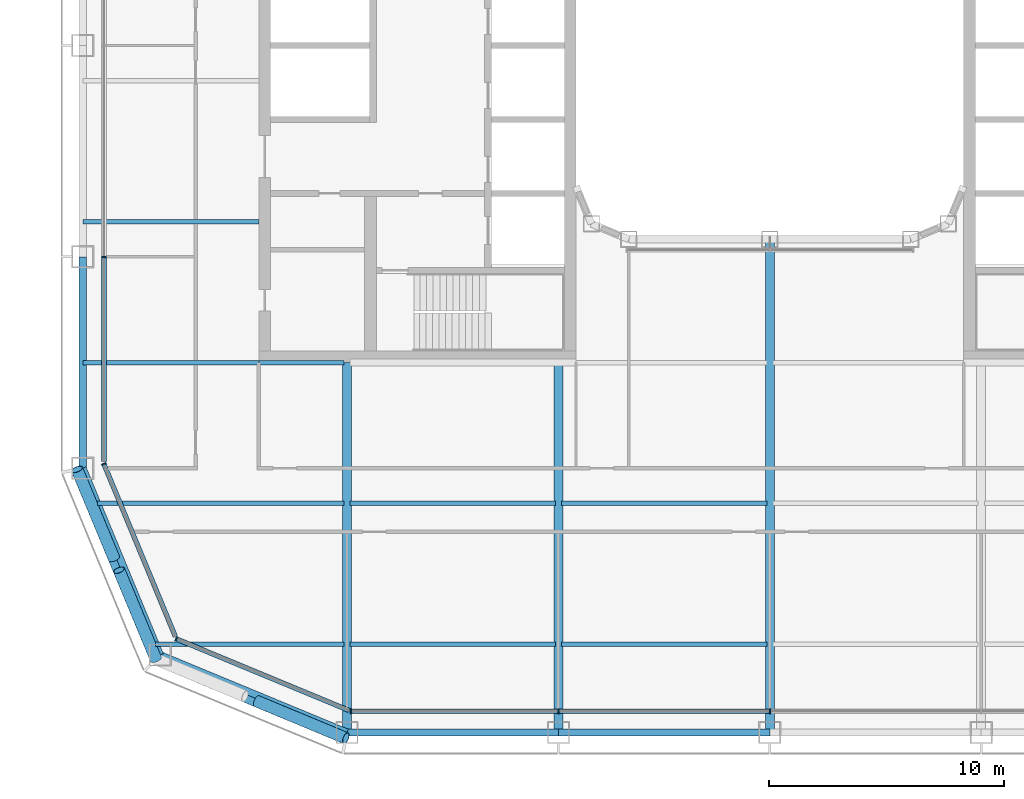
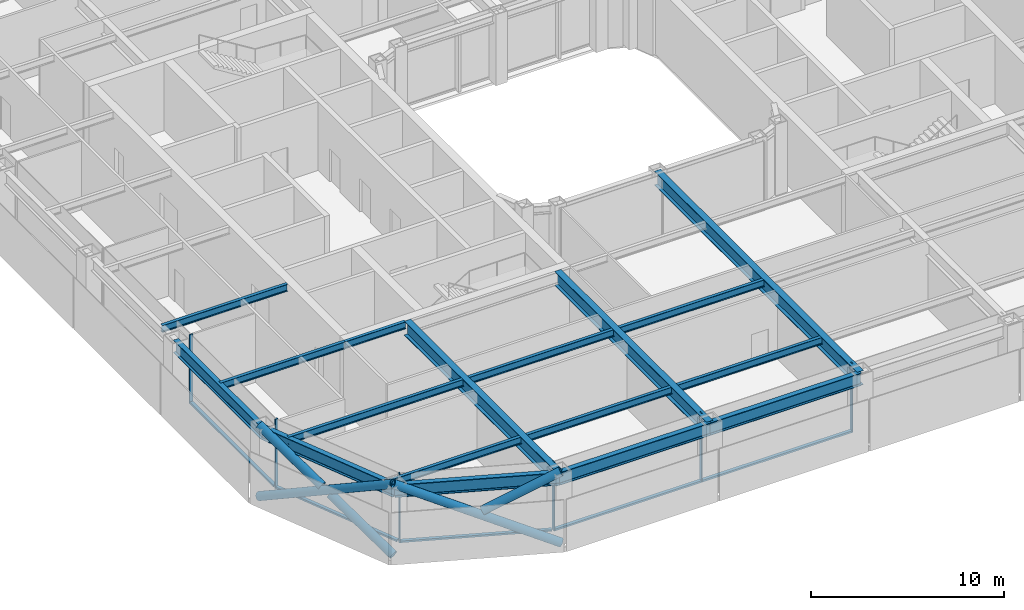
# One storey, part 2 of 23: 17 beams, 16 members, 4 elements without a shape of their own.
"""IFC4 building model written with IfcOpenShell, lengths in metres."""

from ifc_helpers import new_model, si_unit, direction, frame, origin, origin_2d, place, context, subcontext, project, spatial, rectangle, hollow_circle, i_section, extrude, material, layer, layer_set, material_profile, profile_set, type_object, element, aggregate, save


model = new_model("IFC4")

# Units and contexts
model_context = context("Model", 3, precision=1e-05, world=origin(), true_north=direction((0.0, 1.0)))
body_context = subcontext(model_context, "Body", "Model", "MODEL_VIEW")
ifc_project = project(units=[si_unit("LENGTHUNIT", "METRE"), si_unit("AREAUNIT", "SQUARE_METRE"), si_unit("VOLUMEUNIT", "CUBIC_METRE"), si_unit("PLANEANGLEUNIT", "RADIAN"), si_unit("MASSUNIT", "GRAM", prefix="KILO")], contexts=[model_context])

# Site, building, storey
site_placement = place(None, origin())
site = spatial("IfcSite", under=ifc_project, at=site_placement, CompositionType="ELEMENT")
building_placement = place(site_placement, origin())
building = spatial("IfcBuilding", under=site, at=building_placement, Name="Siwar Civic Tower", CompositionType="ELEMENT")
storey_placement = place(building_placement, frame((0.0, 0.0, 118.199951171875)))
storey = spatial("IfcBuildingStorey", under=building, at=storey_placement, Name="L25", CompositionType="ELEMENT", Elevation=118.199951171875)

# Curtain wall, members
ifc_material_1 = material(Name="Aluminium and glass", Category="aluminium")
ifc_layer_1 = layer(ifc_material_1, 0.199951171875)
ifc_layer_set_1 = layer_set([ifc_layer_1], Name="Aluminium and glass")
curtain_wall_type_1 = type_object("IfcCurtainWallType", Name="ENV-CW-B", PredefinedType="NOTDEFINED", material=ifc_layer_set_1)
curtain_wall_1_placement = place(storey_placement, origin())
curtain_wall_1 = element("IfcCurtainWall", 1, at=curtain_wall_1_placement, inside=storey, type_object=curtain_wall_type_1, Name="Curtain wall B S", PredefinedType="NOTDEFINED")
ifc_material_2 = material(Name="Aluminium 6063-T6", Category="aluminium")
ifc_material_profile_1 = material_profile(ifc_material_2, rectangle(XDim=0.199951171875, YDim=0.06494140625, at=origin_2d()), Name="AL 200x65")
ifc_profile_set_1 = profile_set([ifc_material_profile_1], Name="Aluminium 6063-T6")
member_type_1 = type_object("IfcMemberType", Name="ENV-MULLION-B", PredefinedType="MULLION", material=ifc_profile_set_1)
member_1_placement = place(storey_placement, frame((-17.821044921875, -28.35009765625, 0.0), z_axis=(0.0, 0.0, 1.0), x_axis=(0.0, 1.0, 0.0)))
member_1 = element("IfcMember", 2, at=member_1_placement, type_object=member_type_1, Name="Mullion B S 1", PredefinedType="MULLION", context=body_context, shape_type="SweptSolid", body=[
    extrude(rectangle(XDim=0.199951171875, YDim=0.06494140625, at=origin_2d()), origin(), (0.0, 0.0, 1.0), 4.35009765625),
])
member_2_placement = place(storey_placement, frame((-9.0, -28.35009765625, 0.0), z_axis=(0.0, 0.0, 1.0), x_axis=(0.0, 1.0, 0.0)))
member_2 = element("IfcMember", 3, at=member_2_placement, type_object=member_type_1, Name="Mullion B S 2", PredefinedType="MULLION", context=body_context, shape_type="SweptSolid", body=[
    extrude(rectangle(XDim=0.199951171875, YDim=0.06494140625, at=origin_2d()), origin(), (0.0, 0.0, 1.0), 4.35009765625),
])
member_3_placement = place(storey_placement, frame((0.0, -28.35009765625, 0.0), z_axis=(0.0, 0.0, 1.0), x_axis=(0.0, 1.0, 0.0)))
member_3 = element("IfcMember", 4, at=member_3_placement, type_object=member_type_1, Name="Mullion B S 3", PredefinedType="MULLION", context=body_context, shape_type="SweptSolid", body=[
    extrude(rectangle(XDim=0.199951171875, YDim=0.06494140625, at=origin_2d()), origin(), (0.0, 0.0, 1.0), 4.35009765625),
])

# Curtain wall, member
curtain_wall_2_placement = place(storey_placement, origin())
curtain_wall_2 = element("IfcCurtainWall", 5, at=curtain_wall_2_placement, inside=storey, type_object=curtain_wall_type_1, Name="Curtain wall B W", PredefinedType="NOTDEFINED")
member_4_placement = place(storey_placement, frame((-28.35009765625, -9.0, 0.0), z_axis=(0.0, 0.0, 1.0), x_axis=(1.0, 0.0, 0.0)))
member_4 = element("IfcMember", 6, at=member_4_placement, type_object=member_type_1, Name="Mullion B W 4", PredefinedType="MULLION", context=body_context, shape_type="SweptSolid", body=[
    extrude(rectangle(XDim=0.199951171875, YDim=0.06494140625, at=origin_2d()), origin(), (0.0, 0.0, 1.0), 4.35009765625),
])

ifc_material_3 = material(Name="Aluminium clad insulated panel", Category="aluminium")
ifc_layer_2 = layer(ifc_material_3, 0.199951171875)
ifc_layer_set_2 = layer_set([ifc_layer_2], Name="Aluminium clad insulated panel")
curtain_wall_type_2 = type_object("IfcCurtainWallType", Name="ENV-CW-BX", PredefinedType="NOTDEFINED", material=ifc_layer_set_2)
curtain_wall_3_placement = place(storey_placement, origin())
curtain_wall_3 = element("IfcCurtainWall", 7, at=curtain_wall_3_placement, inside=storey, type_object=curtain_wall_type_2, Name="Curtain wall B SW1", PredefinedType="NOTDEFINED")
member_5_placement = place(storey_placement, frame((-28.35009765625, -17.821044921875, 0.0), z_axis=(0.0, 0.0, 1.0), x_axis=(0.923879532511, 0.382683432365, 0.0)))
member_5 = element("IfcMember", 8, at=member_5_placement, type_object=member_type_1, Name="Mullion B SW1 1", PredefinedType="MULLION", context=body_context, shape_type="SweptSolid", body=[
    extrude(rectangle(XDim=0.199951171875, YDim=0.06494140625, at=origin_2d()), origin(), (0.0, 0.0, 1.0), 4.35009765625),
])

curtain_wall_4_placement = place(storey_placement, origin())
curtain_wall_4 = element("IfcCurtainWall", 9, at=curtain_wall_4_placement, inside=storey, type_object=curtain_wall_type_2, Name="Curtain wall B SW2", PredefinedType="NOTDEFINED")
member_6_placement = place(storey_placement, frame((-25.26611328125, -25.26611328125, 0.0), z_axis=(0.0, 0.0, 1.0), x_axis=(0.382683432365, 0.923879532511, 0.0)))
member_6 = element("IfcMember", 10, at=member_6_placement, type_object=member_type_1, Name="Mullion B SW2 1", PredefinedType="MULLION", context=body_context, shape_type="SweptSolid", body=[
    extrude(rectangle(XDim=0.199951171875, YDim=0.06494140625, at=origin_2d()), origin(), (0.0, 0.0, 1.0), 4.35009765625),
])

# Member
ifc_material_4 = material(Name="Aluminium 6063-T6", Category="aluminium")
ifc_material_profile_2 = material_profile(ifc_material_4, rectangle(XDim=0.199951171875, YDim=0.110107421875, at=origin_2d()), Name="AL 200x110")
ifc_profile_set_2 = profile_set([ifc_material_profile_2], Name="Aluminium 6063-T6")
member_type_2 = type_object("IfcMemberType", Name="ENV-TRANSOM-B", PredefinedType="USERDEFINED", material=ifc_profile_set_2)
member_7_placement = place(storey_placement, frame((-17.78857421875, -28.35009765625, 0.054931640625), z_axis=(1.0, 0.0, 0.0), x_axis=(0.0, 1.0, 0.0)))
member_7 = element("IfcMember", 11, at=member_7_placement, type_object=member_type_2, Name="Transom B S 1", ObjectType="TRANSOM", PredefinedType="USERDEFINED", context=body_context, shape_type="SweptSolid", body=[
    extrude(rectangle(XDim=0.199951171875, YDim=0.110107421875, at=origin_2d()), origin(), (0.0, 0.0, 1.0), 8.756103515625),
])

member_8_placement = place(storey_placement, frame((-8.967529296875, -28.35009765625, 0.054931640625), z_axis=(1.0, 0.0, 0.0), x_axis=(0.0, 1.0, 0.0)))
member_8 = element("IfcMember", 12, at=member_8_placement, type_object=member_type_2, Name="Transom B S 2", ObjectType="TRANSOM", PredefinedType="USERDEFINED", context=body_context, shape_type="SweptSolid", body=[
    extrude(rectangle(XDim=0.199951171875, YDim=0.110107421875, at=origin_2d()), origin(), (0.0, 0.0, 1.0), 8.93505859375),
])

aggregate(curtain_wall_1, [member_1, member_2, member_3, member_7, member_8])

member_9_placement = place(storey_placement, frame((-28.35009765625, -9.032470703125, 0.054931640625), z_axis=(0.0, -1.0, 0.0), x_axis=(1.0, 0.0, 0.0)))
member_9 = element("IfcMember", 13, at=member_9_placement, type_object=member_type_2, Name="Transom B W 4", ObjectType="TRANSOM", PredefinedType="USERDEFINED", context=body_context, shape_type="SweptSolid", body=[
    extrude(rectangle(XDim=0.199951171875, YDim=0.110107421875, at=origin_2d()), origin(), (0.0, 0.0, 1.0), 8.6748046875),
])

aggregate(curtain_wall_2, [member_4, member_9])

member_10_placement = place(storey_placement, frame((-28.337646484375, -17.85107421875, 0.054931640625), z_axis=(0.382699695651, -0.92387279587, 0.0), x_axis=(0.92387279587, 0.382699695651, 0.0)))
member_10 = element("IfcMember", 14, at=member_10_placement, type_object=member_type_2, Name="Transom B SW1 1", ObjectType="TRANSOM", PredefinedType="USERDEFINED", context=body_context, shape_type="SweptSolid", body=[
    extrude(rectangle(XDim=0.199951171875, YDim=0.110107421875, at=origin_2d()), origin(), (0.0, 0.0, 1.0), 7.912353515625),
])

aggregate(curtain_wall_3, [member_5, member_10])

member_11_placement = place(storey_placement, frame((-25.236083984375, -25.278564453125, 0.054931640625), z_axis=(0.923883705044, -0.382673358825, 0.0), x_axis=(0.382673358825, 0.923883705044, 0.0)))
member_11 = element("IfcMember", 15, at=member_11_placement, type_object=member_type_2, Name="Transom B SW2 1", ObjectType="TRANSOM", PredefinedType="USERDEFINED", context=body_context, shape_type="SweptSolid", body=[
    extrude(rectangle(XDim=0.199951171875, YDim=0.110107421875, at=origin_2d()), origin(), (0.0, 0.0, 1.0), 7.912353515625),
])

aggregate(curtain_wall_4, [member_6, member_11])

# Members
ifc_material_5 = material(Name="Steel S355", Category="steel")
ifc_material_profile_3 = material_profile(ifc_material_5, hollow_circle(Radius=0.25390625, WallThickness=0.02490234375, at=origin_2d()), Name="CHS508x25")
ifc_profile_set_3 = profile_set([ifc_material_profile_3], Name="Steel S355")
member_type_3 = type_object("IfcMemberType", Name="STR-BR-CHS508x25", PredefinedType="BRACE", material=ifc_profile_set_3)
member_12_placement = place(storey_placement, frame((-18.048828125, -29.4951171875, 0.0), z_axis=(-0.821142553604, 0.341671493852, 0.457149315816), x_axis=(-0.384163874976, -0.923264922524, 0.0)))
element("IfcMember", 16, at=member_12_placement, inside=storey, type_object=member_type_3, Name="L25/brc/BSW1-4-0-1", PredefinedType="BRACE", context=body_context, shape_type="SweptSolid", body=[
    extrude(hollow_circle(Radius=0.25390625, WallThickness=0.02490234375, at=origin_2d()), origin(), (0.0, 0.0, 1.0), 9.843505859375),
])
member_13_placement = place(storey_placement, frame((-21.837890625, -27.91845703125, 2.390625), z_axis=(0.821145902409, -0.34168558233, 0.457132770413), x_axis=(0.384176042158, 0.923259859753, 0.0)))
element("IfcMember", 17, at=member_13_placement, inside=storey, type_object=member_type_3, Name="L25/brc/BSW1-4-0-3", PredefinedType="BRACE", context=body_context, shape_type="SweptSolid", body=[
    extrude(hollow_circle(Radius=0.25390625, WallThickness=0.02490234375, at=origin_2d()), origin(), (0.0, 0.0, 1.0), 4.6142578125),
])
member_14_placement = place(storey_placement, frame((-29.4951171875, -18.048828125, 0.0), z_axis=(0.341671493852, -0.821142553604, 0.457149315816), x_axis=(0.923264922524, 0.384163874976, 0.0)))
element("IfcMember", 18, at=member_14_placement, inside=storey, type_object=member_type_3, Name="L25/brc/BSW1-4-0-0", PredefinedType="BRACE", context=body_context, shape_type="SweptSolid", body=[
    extrude(hollow_circle(Radius=0.25390625, WallThickness=0.02490234375, at=origin_2d()), origin(), (0.0, 0.0, 1.0), 9.843505859375),
])
member_15_placement = place(storey_placement, frame((-26.1318359375, -26.1318359375, 0.0), z_axis=(-0.341662474736, 0.821143275065, 0.457154760636), x_axis=(-0.923268638995, -0.384154943021, 0.0)))
element("IfcMember", 19, at=member_15_placement, inside=storey, type_object=member_type_3, Name="L25/brc/BSW1-4-0-4", PredefinedType="BRACE", context=body_context, shape_type="SweptSolid", body=[
    extrude(hollow_circle(Radius=0.25390625, WallThickness=0.02490234375, at=origin_2d()), origin(), (0.0, 0.0, 1.0), 4.61474609375),
])
member_16_placement = place(storey_placement, frame((-27.91845703125, -21.837890625, 2.390625), z_axis=(-0.34168558233, 0.821145902409, 0.457132770413), x_axis=(-0.923259859753, -0.384176042158, 0.0)))
element("IfcMember", 20, at=member_16_placement, inside=storey, type_object=member_type_3, Name="L25/brc/BSW1-4-0-5", PredefinedType="BRACE", context=body_context, shape_type="SweptSolid", body=[
    extrude(hollow_circle(Radius=0.25390625, WallThickness=0.02490234375, at=origin_2d()), origin(), (0.0, 0.0, 1.0), 4.6142578125),
])

# Beams
ifc_material_6 = material(Name="Steel S355", Category="steel")
ifc_material_profile_4 = material_profile(ifc_material_6, i_section(OverallWidth=0.18994140625, OverallDepth=0.449951171875, WebThickness=0.009521484375, FlangeThickness=0.0146484375, FilletRadius=0.02099609375, at=origin_2d()), Name="IPE450")
ifc_profile_set_4 = profile_set([ifc_material_profile_4], Name="Steel S355")
beam_type_1 = type_object("IfcBeamType", Name="STR-FB-IPE450", PredefinedType="JOIST", material=ifc_profile_set_4)
beam_1_placement = place(storey_placement, frame((-26.143310546875, -25.5, 4.125), z_axis=(1.0, 0.0, 0.0), x_axis=(0.0, 1.0, 0.0)))
element("IfcBeam", 21, at=beam_1_placement, inside=storey, type_object=beam_type_1, Name="L25/bm/F001", PredefinedType="JOIST", context=body_context, shape_type="SweptSolid", body=[
    extrude(i_section(OverallWidth=0.18994140625, OverallDepth=0.449951171875, WebThickness=0.009521484375, FlangeThickness=0.0146484375, FilletRadius=0.02099609375, at=origin_2d()), origin(), (0.0, 0.0, 1.0), 8.013427734375),
])
for number, where, z_axis, x_axis, name in (
    (22, (-17.8701171875, -25.5, 4.125), (1.0, 0.0, 0.0), (0.0, 1.0, 0.0), "L25/bm/F002"),
    (23, (-8.8701171875, -25.5, 4.125), (1.0, 0.0, 0.0), (0.0, 1.0, 0.0), "L25/bm/F003"),
):
    element("IfcBeam", number, at=place(storey_placement, frame(where, z_axis=z_axis, x_axis=x_axis)), inside=storey, type_object=beam_type_1, Name=name, PredefinedType="JOIST", context=body_context, shape_type="SweptSolid", body=[
        extrude(i_section(OverallWidth=0.18994140625, OverallDepth=0.449951171875, WebThickness=0.009521484375, FlangeThickness=0.0146484375, FilletRadius=0.02099609375, at=origin_2d()), origin(), (0.0, 0.0, 1.0), 8.740234375),
    ])
beam_2_placement = place(storey_placement, frame((-28.628662109375, -19.5, 4.125), z_axis=(1.0, 0.0, 0.0), x_axis=(0.0, 1.0, 0.0)))
element("IfcBeam", 24, at=beam_2_placement, inside=storey, type_object=beam_type_1, Name="L25/bm/F007", PredefinedType="JOIST", context=body_context, shape_type="SweptSolid", body=[
    extrude(i_section(OverallWidth=0.18994140625, OverallDepth=0.449951171875, WebThickness=0.009521484375, FlangeThickness=0.0146484375, FilletRadius=0.02099609375, at=origin_2d()), origin(), (0.0, 0.0, 1.0), 10.498779296875),
])
for number, where, z_axis, x_axis, name in (
    (25, (-17.8701171875, -19.5, 4.125), (1.0, 0.0, 0.0), (0.0, 1.0, 0.0), "L25/bm/F008"),
    (26, (-8.8701171875, -19.5, 4.125), (1.0, 0.0, 0.0), (0.0, 1.0, 0.0), "L25/bm/F009"),
):
    element("IfcBeam", number, at=place(storey_placement, frame(where, z_axis=z_axis, x_axis=x_axis)), inside=storey, type_object=beam_type_1, Name=name, PredefinedType="JOIST", context=body_context, shape_type="SweptSolid", body=[
        extrude(i_section(OverallWidth=0.18994140625, OverallDepth=0.449951171875, WebThickness=0.009521484375, FlangeThickness=0.0146484375, FilletRadius=0.02099609375, at=origin_2d()), origin(), (0.0, 0.0, 1.0), 8.740234375),
    ])
beam_3_placement = place(storey_placement, frame((-29.25, -13.5, 4.125), z_axis=(1.0, 0.0, 0.0), x_axis=(0.0, 1.0, 0.0)))
element("IfcBeam", 27, at=beam_3_placement, inside=storey, type_object=beam_type_1, Name="L25/bm/F013", PredefinedType="JOIST", context=body_context, shape_type="SweptSolid", body=[
    extrude(i_section(OverallWidth=0.18994140625, OverallDepth=0.449951171875, WebThickness=0.009521484375, FlangeThickness=0.0146484375, FilletRadius=0.02099609375, at=origin_2d()), origin(), (0.0, 0.0, 1.0), 7.5),
])
beam_4_placement = place(storey_placement, frame((-21.75, -13.5, 4.125), z_axis=(1.0, 0.0, 0.0), x_axis=(0.0, 1.0, 0.0)))
element("IfcBeam", 28, at=beam_4_placement, inside=storey, type_object=beam_type_1, Name="L25/bm/F014", PredefinedType="JOIST", context=body_context, shape_type="SweptSolid", body=[
    extrude(i_section(OverallWidth=0.18994140625, OverallDepth=0.449951171875, WebThickness=0.009521484375, FlangeThickness=0.0146484375, FilletRadius=0.02099609375, at=origin_2d()), origin(), (0.0, 0.0, 1.0), 3.6201171875),
])
beam_5_placement = place(storey_placement, frame((-29.25, -7.5, 4.125), z_axis=(1.0, 0.0, 0.0), x_axis=(0.0, 1.0, 0.0)))
element("IfcBeam", 29, at=beam_5_placement, inside=storey, type_object=beam_type_1, Name="L25/bm/F021", PredefinedType="JOIST", context=body_context, shape_type="SweptSolid", body=[
    extrude(i_section(OverallWidth=0.18994140625, OverallDepth=0.449951171875, WebThickness=0.009521484375, FlangeThickness=0.0146484375, FilletRadius=0.02099609375, at=origin_2d()), origin(), (0.0, 0.0, 1.0), 7.5),
])
ifc_material_7 = material(Name="Steel S355", Category="steel")
ifc_material_profile_5 = material_profile(ifc_material_7, i_section(OverallWidth=0.3798828125, OverallDepth=0.89990234375, WebThickness=0.01611328125, FlangeThickness=0.035888671875, at=origin_2d()), Name="PG900x380x16x36")
ifc_profile_set_5 = profile_set([ifc_material_profile_5], Name="Steel S355")
beam_type_2 = type_object("IfcBeamType", Name="STR-PG-PG900x380x16x36", PredefinedType="BEAM", material=ifc_profile_set_5)
for number, where, z_axis, x_axis, name in (
    (30, (-18.0, -29.25, 3.900146484375), (0.0, 1.0, 0.0), (-1.0, 0.0, 0.0), "L25/bm/G01"),
    (31, (-9.0, -29.25, 3.900146484375), (0.0, 1.0, 0.0), (-1.0, 0.0, 0.0), "L25/bm/G03"),
):
    element("IfcBeam", number, at=place(storey_placement, frame(where, z_axis=z_axis, x_axis=x_axis)), inside=storey, type_object=beam_type_2, Name=name, PredefinedType="BEAM", context=body_context, shape_type="SweptSolid", body=[
        extrude(i_section(OverallWidth=0.3798828125, OverallDepth=0.89990234375, WebThickness=0.01611328125, FlangeThickness=0.035888671875, at=origin_2d()), origin(), (0.0, 0.0, 1.0), 15.75),
    ])
beam_6_placement = place(storey_placement, frame((0.0, -29.25, 3.900146484375), z_axis=(0.0, 1.0, 0.0), x_axis=(-1.0, 0.0, 0.0)))
element("IfcBeam", 32, at=beam_6_placement, inside=storey, type_object=beam_type_2, Name="L25/bm/G05", PredefinedType="BEAM", context=body_context, shape_type="SweptSolid", body=[
    extrude(i_section(OverallWidth=0.3798828125, OverallDepth=0.89990234375, WebThickness=0.01611328125, FlangeThickness=0.035888671875, at=origin_2d()), origin(), (0.0, 0.0, 1.0), 21.0),
])
ifc_material_8 = material(Name="Steel S355", Category="steel")
ifc_material_profile_6 = material_profile(ifc_material_8, i_section(OverallWidth=0.300048828125, OverallDepth=0.800048828125, WebThickness=0.017578125, FlangeThickness=0.032958984375, FilletRadius=0.030029296875, at=origin_2d()), Name="HEB800")
ifc_profile_set_6 = profile_set([ifc_material_profile_6], Name="Steel S355")
beam_type_3 = type_object("IfcBeamType", Name="STR-SB-HEB800", PredefinedType="BEAM", material=ifc_profile_set_6)
for number, where, z_axis, x_axis, name in (
    (33, (-18.0, -29.25, 3.949951171875), (1.0, 0.0, 0.0), (0.0, 1.0, 0.0), "L25/bm/SS-0"),
    (34, (-9.0, -29.25, 3.949951171875), (1.0, 0.0, 0.0), (0.0, 1.0, 0.0), "L25/bm/SS-1"),
    (35, (-29.25, -9.0, 3.949951171875), (0.0, -1.0, 0.0), (1.0, 0.0, 0.0), "L25/bm/SW-3"),
):
    element("IfcBeam", number, at=place(storey_placement, frame(where, z_axis=z_axis, x_axis=x_axis)), inside=storey, type_object=beam_type_3, Name=name, PredefinedType="BEAM", context=body_context, shape_type="SweptSolid", body=[
        extrude(i_section(OverallWidth=0.300048828125, OverallDepth=0.800048828125, WebThickness=0.017578125, FlangeThickness=0.032958984375, FilletRadius=0.030029296875, at=origin_2d()), origin(), (0.0, 0.0, 1.0), 9.0),
    ])
for number, where, z_axis, x_axis, name in (
    (36, (-29.25, -18.0, 3.949951171875), (0.382699877515, -0.923872720536, 0.0), (0.923872720536, 0.382699877515, 0.0), "L25/bm/SSW1-0"),
    (37, (-25.954833984375, -25.954833984375, 3.949951171875), (0.923872720536, -0.382699877515, 0.0), (0.382699877515, 0.923872720536, 0.0), "L25/bm/SSW2-0"),
):
    element("IfcBeam", number, at=place(storey_placement, frame(where, z_axis=z_axis, x_axis=x_axis)), inside=storey, type_object=beam_type_3, Name=name, PredefinedType="BEAM", context=body_context, shape_type="SweptSolid", body=[
        extrude(i_section(OverallWidth=0.300048828125, OverallDepth=0.800048828125, WebThickness=0.017578125, FlangeThickness=0.032958984375, FilletRadius=0.030029296875, at=origin_2d()), origin(), (0.0, 0.0, 1.0), 8.6103515625),
    ])

save(model, "model.ifc")
